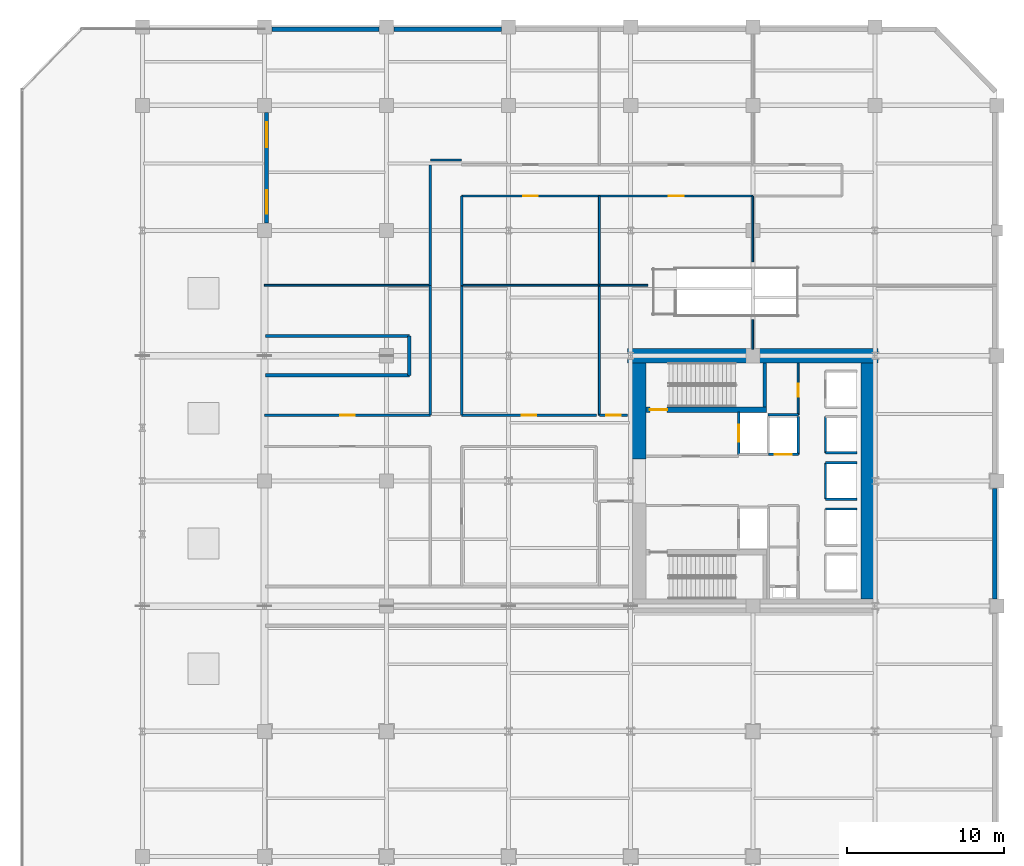
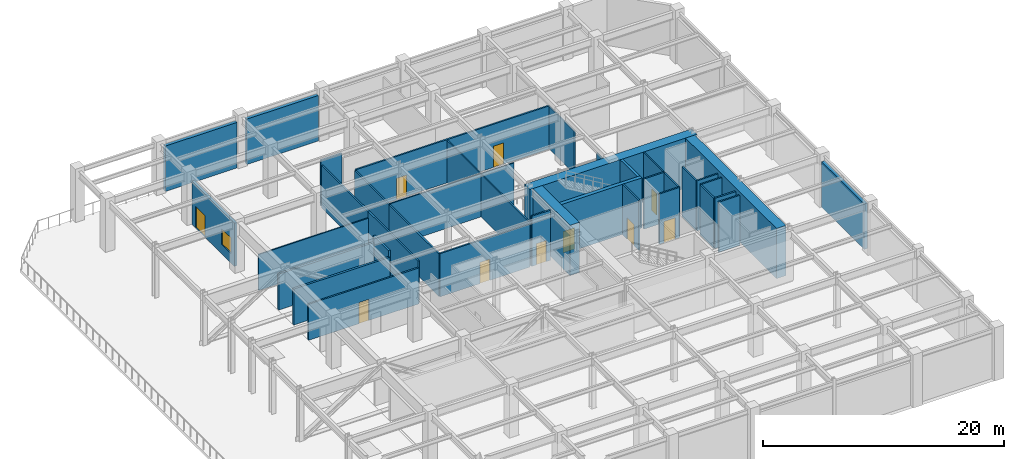
# One storey, part 9 of 14: 40 walls, 10 doors, 1 window, 11 openings.
"""IFC4 building model written with IfcOpenShell, lengths in metres."""

from ifc_helpers import new_model, si_unit, direction, frame, frame_2d, origin, place, context, subcontext, project, spatial, rectangle, extrude, material, layer, layer_set, type_object, element, fill, save


model = new_model("IFC4")

# Units and contexts
model_context = context("Model", 3, precision=1e-05, world=origin(), true_north=direction((0.0, 1.0)))
body_context = subcontext(model_context, "Body", "Model", "MODEL_VIEW")
ifc_project = project(units=[si_unit("LENGTHUNIT", "METRE"), si_unit("AREAUNIT", "SQUARE_METRE"), si_unit("VOLUMEUNIT", "CUBIC_METRE"), si_unit("PLANEANGLEUNIT", "RADIAN"), si_unit("MASSUNIT", "GRAM", prefix="KILO")], contexts=[model_context])

# Site, building, storey
site_placement = place(None, origin())
site = spatial("IfcSite", under=ifc_project, at=site_placement, CompositionType="ELEMENT")
building_placement = place(site_placement, origin())
building = spatial("IfcBuilding", under=site, at=building_placement, Name="Veymaron Broadcast Tower", CompositionType="ELEMENT")
storey_placement = place(building_placement, frame((0.0, 0.0, 27.0)))
storey = spatial("IfcBuildingStorey", under=building, at=storey_placement, Name="L05", CompositionType="ELEMENT", Elevation=27.0)

# Wall, openings, door, window
ifc_material_1 = material(Name="Precast concrete C40/50", Category="concrete")
ifc_layer_1 = layer(ifc_material_1, 0.25)
ifc_layer_set_1 = layer_set([ifc_layer_1], Name="Precast concrete C40/50")
wall_type_1 = type_object("IfcWallType", Name="WALL-EXT-250", PredefinedType="STANDARD", material=ifc_layer_set_1)
wall_1_placement = place(storey_placement, frame((15.739990234375, 47.531982421875, 0.0), z_axis=(0.0, 0.0, 1.0), x_axis=(0.0, -1.0, 0.0)))
wall_1 = element("IfcWall", 1, at=wall_1_placement, inside=storey, type_object=wall_type_1, Name="L05 sky-terrace threshold wall", PredefinedType="STANDARD", context=body_context, shape_type="SweptSolid", body=[
    extrude(rectangle(XDim=7.06396484375, YDim=0.25, at=frame_2d((3.531982421875, 0.0))), origin(), (0.0, 0.0, 1.0), 4.375),
])
opening_1_placement = place(wall_1_placement, frame((0.60009765625, 0.0, 0.0)))
opening_1 = element("IfcOpeningElement", 2, at=opening_1_placement, cuts=wall_1, Name="Opening ED-TR1", PredefinedType="OPENING", context=body_context, shape_type="SweptSolid", body=[
    extrude(rectangle(XDim=1.60009765625, YDim=2.199951171875, at=frame_2d((0.800048828125, 1.10009765625))), frame((0.0, 0.135009765625, 0.0), z_axis=(0.0, -1.0, 0.0), x_axis=(1.0, 0.0, 0.0)), (0.0, 0.0, 1.0), 0.27001953125),
])
opening_2_placement = place(wall_1_placement, frame((4.964111328125, 0.0, 0.949951171875)))
opening_2 = element("IfcOpeningElement", 3, at=opening_2_placement, cuts=wall_1, Name="Opening WN2", PredefinedType="OPENING", context=body_context, shape_type="SweptSolid", body=[
    extrude(rectangle(XDim=1.5, YDim=1.60009765625, at=frame_2d((0.75, 0.800048828125))), frame((0.0, 0.135009765625, 0.0), z_axis=(0.0, -1.0, 0.0), x_axis=(1.0, 0.0, 0.0)), (0.0, 0.0, 1.0), 0.27001953125),
])
ifc_material_2 = material(Name="Thermally broken aluminium and low-E safety glass", Category="aluminium")
door_type_1 = type_object("IfcDoorType", Name="DOOR-TERR-1600", OperationType="DOUBLE_DOOR_SINGLE_SWING", PredefinedType="DOOR", material=ifc_material_2)
door_1_placement = place(opening_1_placement, frame((1.60009765625, 0.0, 0.0), z_axis=(0.0, 0.0, 1.0), x_axis=(-1.0, 0.0, 0.0)))
door_1 = element("IfcDoor", 4, at=door_1_placement, inside=storey, type_object=door_type_1, Name="L05 sky-terrace access door", OperationType="SINGLE_SWING_LEFT", OverallHeight=2.199951171875, OverallWidth=1.60009765625, PredefinedType="DOOR", context=body_context, shape_type="SweptSolid", body=[
    extrude(rectangle(XDim=1.60009765625, YDim=2.199951171875, at=frame_2d((0.800048828125, 1.10009765625))), frame((0.0, 0.02490234375, 0.0), z_axis=(0.0, -1.0, 0.0), x_axis=(1.0, 0.0, 0.0)), (0.0, 0.0, 1.0), 0.050048828125),
])
fill(opening_1, door_1)
ifc_material_3 = material(Name="Thermally broken aluminium and acoustic laminated glass", Category="aluminium")
window_type = type_object("IfcWindowType", Name="WIN-EXT-1500", PartitioningType="SINGLE_PANEL", PredefinedType="WINDOW", material=ifc_material_3)
window_placement = place(opening_2_placement, origin())
window = element("IfcWindow", 5, at=window_placement, inside=storey, type_object=window_type, Name="L05 sky-terrace viewing window", OverallHeight=1.60009765625, OverallWidth=1.5, PartitioningType="SINGLE_PANEL", PredefinedType="WINDOW", context=body_context, shape_type="SweptSolid", body=[
    extrude(rectangle(XDim=1.5, YDim=1.60009765625, at=frame_2d((0.75, 0.800048828125))), frame((0.0, 0.030029296875, 0.0), z_axis=(0.0, -1.0, 0.0), x_axis=(1.0, 0.0, 0.0)), (0.0, 0.0, 1.0), 0.06005859375),
])
fill(opening_2, window)

# Walls
ifc_material_4 = material(Name="Precast concrete C40/50 with mineral-wool insulation", Category="concrete")
ifc_layer_2 = layer(ifc_material_4, 0.300048828125)
ifc_layer_set_2 = layer_set([ifc_layer_2], Name="Precast concrete C40/50 with mineral-wool insulation")
wall_type_2 = type_object("IfcWallType", Name="WALL-EXT-300", PredefinedType="STANDARD", material=ifc_layer_set_2)
wall_2_placement = place(storey_placement, frame((62.260009765625, 16.468017578125, 0.0), z_axis=(0.0, 0.0, 1.0), x_axis=(0.0, 1.0, 0.0)))
element("IfcWall", 6, at=wall_2_placement, inside=storey, type_object=wall_type_2, Name="L05 notched corner facade pier 3-4", PredefinedType="STANDARD", context=body_context, shape_type="SweptSolid", body=[
    extrude(rectangle(XDim=7.06396484375, YDim=0.300048828125, at=frame_2d((3.531982421875, 0.0))), origin(), (0.0, 0.0, 1.0), 4.60791015625),
])
wall_3_placement = place(storey_placement, frame((30.73193359375, 52.860107421875, 0.0), z_axis=(0.0, 0.0, 1.0), x_axis=(-1.0, 0.0, 0.0)))
element("IfcWall", 7, at=wall_3_placement, inside=storey, type_object=wall_type_2, Name="L05 notched corner facade pier 5-5", PredefinedType="STANDARD", context=body_context, shape_type="SweptSolid", body=[
    extrude(rectangle(XDim=6.864013671875, YDim=0.300048828125, at=frame_2d((3.43212890625, 0.0))), origin(), (0.0, 0.0, 1.0), 4.60791015625),
])
wall_4_placement = place(storey_placement, frame((22.931884765625, 52.860107421875, 0.0), z_axis=(0.0, 0.0, 1.0), x_axis=(-1.0, 0.0, 0.0)))
element("IfcWall", 8, at=wall_4_placement, inside=storey, type_object=wall_type_2, Name="L05 notched corner facade pier 5-6", PredefinedType="STANDARD", context=body_context, shape_type="SweptSolid", body=[
    extrude(rectangle(XDim=6.86376953125, YDim=0.300048828125, at=frame_2d((3.431884765625, 0.0))), origin(), (0.0, 0.0, 1.0), 4.60791015625),
])

# Wall, opening, door
ifc_material_5 = material(Name="Gypsum fireboard and steel stud framing", Category="steel")
ifc_layer_3 = layer(ifc_material_5, 0.14990234375)
ifc_layer_set_3 = layer_set([ifc_layer_3], Name="Gypsum fireboard and steel stud framing")
wall_type_3 = type_object("IfcWallType", Name="WALL-FIRE-150", PredefinedType="PARTITIONING", material=ifc_layer_set_3)
wall_5_placement = place(storey_placement, frame((45.89501953125, 25.68994140625, 0.0), z_axis=(0.0, 0.0, 1.0), x_axis=(0.0, 1.0, 0.0)))
wall_5 = element("IfcWall", 9, at=wall_5_placement, inside=storey, type_object=wall_type_3, Name="L05 partition IW-L05-SHW-FFL-1", PredefinedType="PARTITIONING", context=body_context, shape_type="SweptSolid", body=[
    extrude(rectangle(XDim=2.719970703125, YDim=0.14990234375, at=frame_2d((1.35986328125, 0.0))), origin(), (0.0, 0.0, 1.0), 5.080078125),
])
opening_3_placement = place(wall_5_placement, frame((0.81005859375, 0.0, 0.0)))
opening_3 = element("IfcOpeningElement", 10, at=opening_3_placement, cuts=wall_5, Name="Opening LD", PredefinedType="OPENING", context=body_context, shape_type="SweptSolid", body=[
    extrude(rectangle(XDim=1.10009765625, YDim=2.14990234375, at=frame_2d((0.550048828125, 1.074951171875))), frame((0.0, 0.0849609375, 0.0), z_axis=(0.0, -1.0, 0.0), x_axis=(1.0, 0.0, 0.0)), (0.0, 0.0, 1.0), 0.169921875),
])
ifc_material_6 = material(Name="Brushed stainless steel AISI 304", Category="steel")
door_type_2 = type_object("IfcDoorType", Name="DOOR-LIFT-1100", OperationType="DOUBLE_DOOR_SLIDING", PredefinedType="DOOR", material=ifc_material_6)
door_2_placement = place(opening_3_placement, frame((1.10009765625, 0.0, 0.0), z_axis=(0.0, 0.0, 1.0), x_axis=(-1.0, 0.0, 0.0)))
door_2 = element("IfcDoor", 11, at=door_2_placement, inside=storey, type_object=door_type_2, Name="L05 door LD-L05-FFL-1", OperationType="DOUBLE_DOOR_SLIDING", OverallHeight=2.14990234375, OverallWidth=1.10009765625, PredefinedType="DOOR", context=body_context, shape_type="SweptSolid", body=[
    extrude(rectangle(XDim=1.10009765625, YDim=2.14990234375, at=frame_2d((0.550048828125, 1.074951171875))), frame((0.0, 0.02490234375, 0.0), z_axis=(0.0, -1.0, 0.0), x_axis=(1.0, 0.0, 0.0)), (0.0, 0.0, 1.0), 0.050048828125),
])
fill(opening_3, door_2)

wall_6_placement = place(storey_placement, frame((47.7900390625, 25.695068359375, 0.0), z_axis=(0.0, 0.0, 1.0), x_axis=(1.0, 0.0, 0.0)))
wall_6 = element("IfcWall", 12, at=wall_6_placement, inside=storey, type_object=wall_type_3, Name="L05 partition IW-L05-SHS-SL-1", PredefinedType="PARTITIONING", context=body_context, shape_type="SweptSolid", body=[
    extrude(rectangle(XDim=1.919921875, YDim=0.14990234375, at=frame_2d((0.9599609375, 0.0))), origin(), (0.0, 0.0, 1.0), 5.080078125),
])
opening_4_placement = place(wall_6_placement, frame((0.409912109375, 0.0, 0.0)))
opening_4 = element("IfcOpeningElement", 13, at=opening_4_placement, cuts=wall_6, Name="Opening LD", PredefinedType="OPENING", context=body_context, shape_type="SweptSolid", body=[
    extrude(rectangle(XDim=1.10009765625, YDim=2.14990234375, at=frame_2d((0.550048828125, 1.074951171875))), frame((0.0, 0.0849609375, 0.0), z_axis=(0.0, -1.0, 0.0), x_axis=(1.0, 0.0, 0.0)), (0.0, 0.0, 1.0), 0.169921875),
])
door_3_placement = place(opening_4_placement, frame((1.10009765625, 0.0, 0.0), z_axis=(0.0, 0.0, 1.0), x_axis=(-1.0, 0.0, 0.0)))
door_3 = element("IfcDoor", 14, at=door_3_placement, inside=storey, type_object=door_type_2, Name="L05 door LD-L05-SL-1", OperationType="DOUBLE_DOOR_SLIDING", OverallHeight=2.14990234375, OverallWidth=1.10009765625, PredefinedType="DOOR", context=body_context, shape_type="SweptSolid", body=[
    extrude(rectangle(XDim=1.10009765625, YDim=2.14990234375, at=frame_2d((0.550048828125, 1.074951171875))), frame((0.0, 0.02490234375, 0.0), z_axis=(0.0, -1.0, 0.0), x_axis=(1.0, 0.0, 0.0)), (0.0, 0.0, 1.0), 0.050048828125),
])
fill(opening_4, door_3)

# Walls
wall_7_placement = place(storey_placement, frame((49.7099609375, 25.695068359375, 0.0), z_axis=(0.0, 0.0, 1.0), x_axis=(0.0, 1.0, 0.0)))
element("IfcWall", 15, at=wall_7_placement, inside=storey, type_object=wall_type_3, Name="L05 partition IW-L05-SHE-SL-1", PredefinedType="PARTITIONING", context=body_context, shape_type="SweptSolid", body=[
    extrude(rectangle(XDim=2.4150390625, YDim=0.14990234375, at=frame_2d((1.20751953125, 0.0))), origin(), (0.0, 0.0, 1.0), 5.080078125),
])
wall_8_placement = place(storey_placement, frame((51.445068359375, 25.7900390625, 0.0), z_axis=(0.0, 0.0, 1.0), x_axis=(0.0, 1.0, 0.0)))
element("IfcWall", 16, at=wall_8_placement, inside=storey, type_object=wall_type_3, Name="L05 partition IW-L05-SHW-PM1", PredefinedType="PARTITIONING", context=body_context, shape_type="SweptSolid", body=[
    extrude(rectangle(XDim=2.320068359375, YDim=0.14990234375, at=frame_2d((1.16015625, 0.0))), origin(), (0.0, 0.0, 1.0), 5.080078125),
])
for number, where, z_axis, x_axis, name in (
    (17, (51.445068359375, 25.7900390625, 0.0), (0.0, 0.0, 1.0), (1.0, 0.0, 0.0), "L05 partition IW-L05-SHS-PM1"),
    (18, (51.445068359375, 22.2099609375, 0.0), (0.0, 0.0, 1.0), (1.0, 0.0, 0.0), "L05 partition IW-L05-SHN-PM2"),
):
    element("IfcWall", number, at=place(storey_placement, frame(where, z_axis=z_axis, x_axis=x_axis)), inside=storey, type_object=wall_type_3, Name=name, PredefinedType="PARTITIONING", context=body_context, shape_type="SweptSolid", body=[
        extrude(rectangle(XDim=2.014892578125, YDim=0.14990234375, at=frame_2d((1.00732421875, 0.0))), origin(), (0.0, 0.0, 1.0), 5.080078125),
    ])
wall_9_placement = place(storey_placement, frame((51.445068359375, 22.840087890625, 0.0), z_axis=(0.0, 0.0, 1.0), x_axis=(0.0, 1.0, 0.0)))
element("IfcWall", 19, at=wall_9_placement, inside=storey, type_object=wall_type_3, Name="L05 partition IW-L05-SHW-PM3", PredefinedType="PARTITIONING", context=body_context, shape_type="SweptSolid", body=[
    extrude(rectangle(XDim=2.31982421875, YDim=0.14990234375, at=frame_2d((1.159912109375, 0.0))), origin(), (0.0, 0.0, 1.0), 5.080078125),
])
for number, where, z_axis, x_axis, name in (
    (20, (51.445068359375, 22.840087890625, 0.0), (0.0, 0.0, 1.0), (1.0, 0.0, 0.0), "L05 partition IW-L05-SHS-PM3"),
    (21, (51.445068359375, 25.159912109375, 0.0), (0.0, 0.0, 1.0), (1.0, 0.0, 0.0), "L05 partition IW-L05-SHN-PM3"),
):
    element("IfcWall", number, at=place(storey_placement, frame(where, z_axis=z_axis, x_axis=x_axis)), inside=storey, type_object=wall_type_3, Name=name, PredefinedType="PARTITIONING", context=body_context, shape_type="SweptSolid", body=[
        extrude(rectangle(XDim=2.014892578125, YDim=0.14990234375, at=frame_2d((1.00732421875, 0.0))), origin(), (0.0, 0.0, 1.0), 5.080078125),
    ])
wall_10_placement = place(storey_placement, frame((47.760009765625, 28.219970703125, 0.0), z_axis=(0.0, 0.0, 1.0), x_axis=(1.0, 0.0, 0.0)))
element("IfcWall", 22, at=wall_10_placement, inside=storey, type_object=wall_type_3, Name="L05 partition IW-L05-NM-S", PredefinedType="PARTITIONING", context=body_context, shape_type="SweptSolid", body=[
    extrude(rectangle(XDim=1.9599609375, YDim=0.14990234375, at=frame_2d((0.97998046875, 0.0))), origin(), (0.0, 0.0, 1.0), 5.080078125),
])

# Wall, opening, door
wall_11_placement = place(storey_placement, frame((28.199951171875, 28.199951171875, 0.0), z_axis=(0.0, 0.0, 1.0), x_axis=(1.0, 0.0, 0.0)))
wall_11 = element("IfcWall", 23, at=wall_11_placement, inside=storey, type_object=wall_type_3, Name="L05 partition IW-L05-P07", PredefinedType="PARTITIONING", context=body_context, shape_type="SweptSolid", body=[
    extrude(rectangle(XDim=8.60009765625, YDim=0.14990234375, at=frame_2d((4.300048828125, 0.0))), origin(), (0.0, 0.0, 1.0), 4.375),
])
opening_5_placement = place(wall_11_placement, frame((3.824951171875, 0.0, 0.0)))
opening_5 = element("IfcOpeningElement", 24, at=opening_5_placement, cuts=wall_11, Name="Opening ID-RM1", PredefinedType="OPENING", context=body_context, shape_type="SweptSolid", body=[
    extrude(rectangle(XDim=0.949951171875, YDim=2.14990234375, at=frame_2d((0.47509765625, 1.074951171875))), frame((0.0, 0.0849609375, 0.0), z_axis=(0.0, -1.0, 0.0), x_axis=(1.0, 0.0, 0.0)), (0.0, 0.0, 1.0), 0.169921875),
])
ifc_material_7 = material(Name="Acoustic solid-core European oak veneer timber", Category="wood")
door_type_3 = type_object("IfcDoorType", Name="DOOR-INT-950", OperationType="NOTDEFINED", PredefinedType="DOOR", material=ifc_material_7)
door_4_placement = place(opening_5_placement, origin())
door_4 = element("IfcDoor", 25, at=door_4_placement, inside=storey, type_object=door_type_3, Name="L05 door DR-L05-P07", OperationType="SINGLE_SWING_RIGHT", OverallHeight=2.14990234375, OverallWidth=0.949951171875, PredefinedType="DOOR", context=body_context, shape_type="SweptSolid", body=[
    extrude(rectangle(XDim=0.949951171875, YDim=2.14990234375, at=frame_2d((0.47509765625, 1.074951171875))), frame((0.0, 0.02490234375, 0.0), z_axis=(0.0, -1.0, 0.0), x_axis=(1.0, 0.0, 0.0)), (0.0, 0.0, 1.0), 0.050048828125),
])
fill(opening_5, door_4)

wall_12_placement = place(storey_placement, frame((15.60009765625, 28.199951171875, 0.0), z_axis=(0.0, 0.0, 1.0), x_axis=(1.0, 0.0, 0.0)))
wall_12 = element("IfcWall", 26, at=wall_12_placement, inside=storey, type_object=wall_type_3, Name="L05 partition IW-L05-P09", PredefinedType="PARTITIONING", context=body_context, shape_type="SweptSolid", body=[
    extrude(rectangle(XDim=10.599853515625, YDim=0.14990234375, at=frame_2d((5.2998046875, 0.0))), origin(), (0.0, 0.0, 1.0), 3.64794921875),
])
opening_6_placement = place(wall_12_placement, frame((4.824951171875, 0.0, 0.0)))
opening_6 = element("IfcOpeningElement", 27, at=opening_6_placement, cuts=wall_12, Name="Opening ID-RM1", PredefinedType="OPENING", context=body_context, shape_type="SweptSolid", body=[
    extrude(rectangle(XDim=0.949951171875, YDim=2.14990234375, at=frame_2d((0.47509765625, 1.074951171875))), frame((0.0, 0.0849609375, 0.0), z_axis=(0.0, -1.0, 0.0), x_axis=(1.0, 0.0, 0.0)), (0.0, 0.0, 1.0), 0.169921875),
])
door_5_placement = place(opening_6_placement, origin())
door_5 = element("IfcDoor", 28, at=door_5_placement, inside=storey, type_object=door_type_3, Name="L05 door DR-L05-P09", OperationType="SINGLE_SWING_RIGHT", OverallHeight=2.14990234375, OverallWidth=0.949951171875, PredefinedType="DOOR", context=body_context, shape_type="SweptSolid", body=[
    extrude(rectangle(XDim=0.949951171875, YDim=2.14990234375, at=frame_2d((0.47509765625, 1.074951171875))), frame((0.0, 0.02490234375, 0.0), z_axis=(0.0, -1.0, 0.0), x_axis=(1.0, 0.0, 0.0)), (0.0, 0.0, 1.0), 0.050048828125),
])
fill(opening_6, door_5)

wall_13_placement = place(storey_placement, frame((37.0, 28.199951171875, 0.0), z_axis=(0.0, 0.0, 1.0), x_axis=(1.0, 0.0, 0.0)))
wall_13 = element("IfcWall", 29, at=wall_13_placement, inside=storey, type_object=wall_type_3, Name="L05 partition IW-L05-P11", PredefinedType="PARTITIONING", context=body_context, shape_type="SweptSolid", body=[
    extrude(rectangle(XDim=1.800048828125, YDim=0.14990234375, at=frame_2d((0.89990234375, 0.0))), origin(), (0.0, 0.0, 1.0), 5.080078125),
])
opening_7_placement = place(wall_13_placement, frame((0.425048828125, 0.0, 0.0)))
opening_7 = element("IfcOpeningElement", 30, at=opening_7_placement, cuts=wall_13, Name="Opening ID-RM1", PredefinedType="OPENING", context=body_context, shape_type="SweptSolid", body=[
    extrude(rectangle(XDim=0.949951171875, YDim=2.14990234375, at=frame_2d((0.47509765625, 1.074951171875))), frame((0.0, 0.0849609375, 0.0), z_axis=(0.0, -1.0, 0.0), x_axis=(1.0, 0.0, 0.0)), (0.0, 0.0, 1.0), 0.169921875),
])
door_6_placement = place(opening_7_placement, origin())
door_6 = element("IfcDoor", 31, at=door_6_placement, inside=storey, type_object=door_type_3, Name="L05 door DR-L05-P11", OperationType="SINGLE_SWING_RIGHT", OverallHeight=2.14990234375, OverallWidth=0.949951171875, PredefinedType="DOOR", context=body_context, shape_type="SweptSolid", body=[
    extrude(rectangle(XDim=0.949951171875, YDim=2.14990234375, at=frame_2d((0.47509765625, 1.074951171875))), frame((0.0, 0.02490234375, 0.0), z_axis=(0.0, -1.0, 0.0), x_axis=(1.0, 0.0, 0.0)), (0.0, 0.0, 1.0), 0.050048828125),
])
fill(opening_7, door_6)

wall_14_placement = place(storey_placement, frame((28.199951171875, 42.199951171875, 0.0), z_axis=(0.0, 0.0, 1.0), x_axis=(1.0, 0.0, 0.0)))
wall_14 = element("IfcWall", 32, at=wall_14_placement, inside=storey, type_object=wall_type_3, Name="L05 partition IW-L05-P12", PredefinedType="PARTITIONING", context=body_context, shape_type="SweptSolid", body=[
    extrude(rectangle(XDim=8.800048828125, YDim=0.14990234375, at=frame_2d((4.39990234375, 0.0))), origin(), (0.0, 0.0, 1.0), 4.375),
])
opening_8_placement = place(wall_14_placement, frame((3.925048828125, 0.0, 0.0)))
opening_8 = element("IfcOpeningElement", 33, at=opening_8_placement, cuts=wall_14, Name="Opening ID-RM1", PredefinedType="OPENING", context=body_context, shape_type="SweptSolid", body=[
    extrude(rectangle(XDim=0.949951171875, YDim=2.14990234375, at=frame_2d((0.47509765625, 1.074951171875))), frame((0.0, 0.0849609375, 0.0), z_axis=(0.0, -1.0, 0.0), x_axis=(1.0, 0.0, 0.0)), (0.0, 0.0, 1.0), 0.169921875),
])
door_7_placement = place(opening_8_placement, frame((0.949951171875, 0.0, 0.0), z_axis=(0.0, 0.0, 1.0), x_axis=(-1.0, 0.0, 0.0)))
door_7 = element("IfcDoor", 34, at=door_7_placement, inside=storey, type_object=door_type_3, Name="L05 door DR-L05-P12", OperationType="SINGLE_SWING_LEFT", OverallHeight=2.14990234375, OverallWidth=0.949951171875, PredefinedType="DOOR", context=body_context, shape_type="SweptSolid", body=[
    extrude(rectangle(XDim=0.949951171875, YDim=2.14990234375, at=frame_2d((0.47509765625, 1.074951171875))), frame((0.0, 0.02490234375, 0.0), z_axis=(0.0, -1.0, 0.0), x_axis=(1.0, 0.0, 0.0)), (0.0, 0.0, 1.0), 0.050048828125),
])
fill(opening_8, door_7)

wall_15_placement = place(storey_placement, frame((37.0, 42.199951171875, 0.0), z_axis=(0.0, 0.0, 1.0), x_axis=(1.0, 0.0, 0.0)))
wall_15 = element("IfcWall", 35, at=wall_15_placement, inside=storey, type_object=wall_type_3, Name="L05 partition IW-L05-P14", PredefinedType="PARTITIONING", context=body_context, shape_type="SweptSolid", body=[
    extrude(rectangle(XDim=9.800048828125, YDim=0.14990234375, at=frame_2d((4.89990234375, 0.0))), origin(), (0.0, 0.0, 1.0), 4.375),
])
opening_9_placement = place(wall_15_placement, frame((4.425048828125, 0.0, 0.0)))
opening_9 = element("IfcOpeningElement", 36, at=opening_9_placement, cuts=wall_15, Name="Opening ID-RM1", PredefinedType="OPENING", context=body_context, shape_type="SweptSolid", body=[
    extrude(rectangle(XDim=0.949951171875, YDim=2.14990234375, at=frame_2d((0.47509765625, 1.074951171875))), frame((0.0, 0.0849609375, 0.0), z_axis=(0.0, -1.0, 0.0), x_axis=(1.0, 0.0, 0.0)), (0.0, 0.0, 1.0), 0.169921875),
])
door_8_placement = place(opening_9_placement, frame((0.949951171875, 0.0, 0.0), z_axis=(0.0, 0.0, 1.0), x_axis=(-1.0, 0.0, 0.0)))
door_8 = element("IfcDoor", 37, at=door_8_placement, inside=storey, type_object=door_type_3, Name="L05 door DR-L05-P14", OperationType="SINGLE_SWING_LEFT", OverallHeight=2.14990234375, OverallWidth=0.949951171875, PredefinedType="DOOR", context=body_context, shape_type="SweptSolid", body=[
    extrude(rectangle(XDim=0.949951171875, YDim=2.14990234375, at=frame_2d((0.47509765625, 1.074951171875))), frame((0.0, 0.02490234375, 0.0), z_axis=(0.0, -1.0, 0.0), x_axis=(1.0, 0.0, 0.0)), (0.0, 0.0, 1.0), 0.050048828125),
])
fill(opening_9, door_8)

# Walls
for number, where, z_axis, x_axis, name in (
    (38, (28.199951171875, 28.199951171875, 0.0), (0.0, 0.0, 1.0), (0.0, 1.0, 0.0), "L05 partition IW-L05-P08"),
    (39, (26.199951171875, 28.199951171875, 0.0), (0.0, 0.0, 1.0), (0.0, 1.0, 0.0), "L05 partition IW-L05-P10"),
):
    element("IfcWall", number, at=place(storey_placement, frame(where, z_axis=z_axis, x_axis=x_axis)), inside=storey, type_object=wall_type_3, Name=name, PredefinedType="PARTITIONING", context=body_context, shape_type="SweptSolid", body=[
        extrude(rectangle(XDim=8.300048828125, YDim=0.14990234375, at=frame_2d((4.14990234375, 0.0))), origin(), (0.0, 0.0, 1.0), 4.298095703125),
    ])
wall_16_placement = place(storey_placement, frame((28.199951171875, 36.5, 0.0), z_axis=(0.0, 0.0, 1.0), x_axis=(0.0, 1.0, 0.0)))
element("IfcWall", 40, at=wall_16_placement, inside=storey, type_object=wall_type_3, Name="L05 partition IW-L05-P13", PredefinedType="PARTITIONING", context=body_context, shape_type="SweptSolid", body=[
    extrude(rectangle(XDim=5.699951171875, YDim=0.14990234375, at=frame_2d((2.85009765625, 0.0))), origin(), (0.0, 0.0, 1.0), 4.298095703125),
])
wall_17_placement = place(storey_placement, frame((26.199951171875, 36.5, 0.0), z_axis=(0.0, 0.0, 1.0), x_axis=(0.0, 1.0, 0.0)))
element("IfcWall", 41, at=wall_17_placement, inside=storey, type_object=wall_type_3, Name="L05 partition IW-L05-P19", PredefinedType="PARTITIONING", context=body_context, shape_type="SweptSolid", body=[
    extrude(rectangle(XDim=7.699951171875, YDim=0.14990234375, at=frame_2d((3.85009765625, 0.0))), origin(), (0.0, 0.0, 1.0), 4.298095703125),
])
wall_18_placement = place(storey_placement, frame((26.199951171875, 44.5, 0.0), z_axis=(0.0, 0.0, 1.0), x_axis=(1.0, 0.0, 0.0)))
element("IfcWall", 42, at=wall_18_placement, inside=storey, type_object=wall_type_3, Name="L05 partition IW-L05-P20", PredefinedType="PARTITIONING", context=body_context, shape_type="SweptSolid", body=[
    extrude(rectangle(XDim=2.0, YDim=0.14990234375, at=frame_2d((1.0, 0.0))), origin(), (0.0, 0.0, 1.0), 4.660888671875),
])
ifc_material_8 = material(Name="Concrete C40/50", Category="concrete")
ifc_layer_4 = layer(ifc_material_8, 0.199951171875)
ifc_layer_set_4 = layer_set([ifc_layer_4], Name="Concrete C40/50")
wall_type_4 = type_object("IfcWallType", Name="WALL-FIRE-200", PredefinedType="SOLIDWALL", material=ifc_layer_set_4)
for number, where, z_axis, x_axis, name in (
    (43, (15.64990234375, 30.75, 0.0), (0.0, 0.0, 1.0), (1.0, 0.0, 0.0), "L05 partition IW-L05-TT2-S"),
    (44, (15.64990234375, 33.25, 0.0), (0.0, 0.0, 1.0), (1.0, 0.0, 0.0), "L05 partition IW-L05-TT2-N"),
):
    element("IfcWall", number, at=place(storey_placement, frame(where, z_axis=z_axis, x_axis=x_axis)), inside=storey, type_object=wall_type_4, Name=name, PredefinedType="SOLIDWALL", context=body_context, shape_type="SweptSolid", body=[
        extrude(rectangle(XDim=9.2001953125, YDim=0.199951171875, at=frame_2d((4.60009765625, 0.0))), origin(), (0.0, 0.0, 1.0), 3.64794921875),
    ])
wall_19_placement = place(storey_placement, frame((24.85009765625, 30.75, 0.0), z_axis=(0.0, 0.0, 1.0), x_axis=(0.0, 1.0, 0.0)))
element("IfcWall", 45, at=wall_19_placement, inside=storey, type_object=wall_type_4, Name="L05 partition IW-L05-TT2-E", PredefinedType="SOLIDWALL", context=body_context, shape_type="SweptSolid", body=[
    extrude(rectangle(XDim=2.5, YDim=0.199951171875, at=frame_2d((1.25, 0.0))), origin(), (0.0, 0.0, 1.0), 4.298095703125),
])

# Wall, opening, door
ifc_material_9 = material(Name="Acoustic gypsum board and galvanized stud", Category="gypsum")
ifc_layer_5 = layer(ifc_material_9, 0.1201171875)
ifc_layer_set_5 = layer_set([ifc_layer_5], Name="Acoustic gypsum board and galvanized stud")
wall_type_5 = type_object("IfcWallType", Name="WALL-PART-120", PredefinedType="PARTITIONING", material=ifc_layer_set_5)
wall_20_placement = place(storey_placement, frame((49.699951171875, 28.219970703125, 0.0), z_axis=(0.0, 0.0, 1.0), x_axis=(0.0, 1.0, 0.0)))
wall_20 = element("IfcWall", 46, at=wall_20_placement, inside=storey, type_object=wall_type_5, Name="L05 partition IW-L05-NM-E", PredefinedType="PARTITIONING", context=body_context, shape_type="SweptSolid", body=[
    extrude(rectangle(XDim=3.300048828125, YDim=0.1201171875, at=frame_2d((1.64990234375, 0.0))), origin(), (0.0, 0.0, 1.0), 5.080078125),
])
opening_10_placement = place(wall_20_placement, frame((1.14990234375, 0.0, 0.0)))
opening_10 = element("IfcOpeningElement", 47, at=opening_10_placement, cuts=wall_20, Name="Opening ID-WC1", PredefinedType="OPENING", context=body_context, shape_type="SweptSolid", body=[
    extrude(rectangle(XDim=0.85009765625, YDim=2.14990234375, at=frame_2d((0.425048828125, 1.074951171875))), frame((0.0, 0.070068359375, 0.0), z_axis=(0.0, -1.0, 0.0), x_axis=(1.0, 0.0, 0.0)), (0.0, 0.0, 1.0), 0.14013671875),
])
ifc_material_10 = material(Name="Moisture-resistant high-pressure laminate timber", Category="wood")
door_type_4 = type_object("IfcDoorType", Name="DOOR-INT-850", OperationType="NOTDEFINED", PredefinedType="DOOR", material=ifc_material_10)
door_9_placement = place(opening_10_placement, frame((0.85009765625, 0.0, 0.0), z_axis=(0.0, 0.0, 1.0), x_axis=(-1.0, 0.0, 0.0)))
door_9 = element("IfcDoor", 48, at=door_9_placement, inside=storey, type_object=door_type_4, Name="L05 door DR-L05-NMR", OperationType="SINGLE_SWING_LEFT", OverallHeight=2.14990234375, OverallWidth=0.85009765625, PredefinedType="DOOR", context=body_context, shape_type="SweptSolid", body=[
    extrude(rectangle(XDim=0.85009765625, YDim=2.14990234375, at=frame_2d((0.425048828125, 1.074951171875))), frame((0.0, 0.02490234375, 0.0), z_axis=(0.0, -1.0, 0.0), x_axis=(1.0, 0.0, 0.0)), (0.0, 0.0, 1.0), 0.050048828125),
])
fill(opening_10, door_9)

# Walls
wall_21_placement = place(storey_placement, frame((46.800048828125, 32.39990234375, 0.0), z_axis=(0.0, 0.0, 1.0), x_axis=(0.0, 1.0, 0.0)))
element("IfcWall", 49, at=wall_21_placement, inside=storey, type_object=wall_type_5, Name="L05 partition IW-L05-P23", PredefinedType="PARTITIONING", context=body_context, shape_type="SweptSolid", body=[
    extrude(rectangle(XDim=1.900146484375, YDim=0.1201171875, at=frame_2d((0.9501953125, 0.0))), origin(), (0.0, 0.0, 1.0), 4.375),
])
wall_22_placement = place(storey_placement, frame((37.0, 28.199951171875, 0.0), z_axis=(0.0, 0.0, 1.0), x_axis=(0.0, 1.0, 0.0)))
element("IfcWall", 50, at=wall_22_placement, inside=storey, type_object=wall_type_5, Name="L05 partition IW-L05-P25", PredefinedType="PARTITIONING", context=body_context, shape_type="SweptSolid", body=[
    extrude(rectangle(XDim=8.300048828125, YDim=0.1201171875, at=frame_2d((4.14990234375, 0.0))), origin(), (0.0, 0.0, 1.0), 4.298095703125),
])
wall_23_placement = place(storey_placement, frame((28.199951171875, 36.5, 0.0), z_axis=(0.0, 0.0, 1.0), x_axis=(1.0, 0.0, 0.0)))
element("IfcWall", 51, at=wall_23_placement, inside=storey, type_object=wall_type_5, Name="L05 partition IW-L05-P26", PredefinedType="PARTITIONING", context=body_context, shape_type="SweptSolid", body=[
    extrude(rectangle(XDim=8.800048828125, YDim=0.1201171875, at=frame_2d((4.39990234375, 0.0))), origin(), (0.0, 0.0, 1.0), 4.375),
])
wall_24_placement = place(storey_placement, frame((15.60009765625, 36.5, 0.0), z_axis=(0.0, 0.0, 1.0), x_axis=(1.0, 0.0, 0.0)))
element("IfcWall", 52, at=wall_24_placement, inside=storey, type_object=wall_type_5, Name="L05 partition IW-L05-P27", PredefinedType="PARTITIONING", context=body_context, shape_type="SweptSolid", body=[
    extrude(rectangle(XDim=10.599853515625, YDim=0.1201171875, at=frame_2d((5.2998046875, 0.0))), origin(), (0.0, 0.0, 1.0), 3.64794921875),
])
wall_25_placement = place(storey_placement, frame((37.0, 36.5, 0.0), z_axis=(0.0, 0.0, 1.0), x_axis=(1.0, 0.0, 0.0)))
element("IfcWall", 53, at=wall_25_placement, inside=storey, type_object=wall_type_5, Name="L05 partition IW-L05-P28", PredefinedType="PARTITIONING", context=body_context, shape_type="SweptSolid", body=[
    extrude(rectangle(XDim=3.10009765625, YDim=0.1201171875, at=frame_2d((1.550048828125, 0.0))), origin(), (0.0, 0.0, 1.0), 4.375),
])
wall_26_placement = place(storey_placement, frame((37.0, 36.5, 0.0), z_axis=(0.0, 0.0, 1.0), x_axis=(0.0, 1.0, 0.0)))
element("IfcWall", 54, at=wall_26_placement, inside=storey, type_object=wall_type_5, Name="L05 partition IW-L05-P29", PredefinedType="PARTITIONING", context=body_context, shape_type="SweptSolid", body=[
    extrude(rectangle(XDim=5.699951171875, YDim=0.1201171875, at=frame_2d((2.85009765625, 0.0))), origin(), (0.0, 0.0, 1.0), 4.298095703125),
])
wall_27_placement = place(storey_placement, frame((46.800048828125, 38.0, 0.0), z_axis=(0.0, 0.0, 1.0), x_axis=(0.0, 1.0, 0.0)))
element("IfcWall", 55, at=wall_27_placement, inside=storey, type_object=wall_type_5, Name="L05 partition IW-L05-P30", PredefinedType="PARTITIONING", context=body_context, shape_type="SweptSolid", body=[
    extrude(rectangle(XDim=4.199951171875, YDim=0.1201171875, at=frame_2d((2.10009765625, 0.0))), origin(), (0.0, 0.0, 1.0), 4.298095703125),
])
ifc_material_11 = material(Name="Concrete C50/60", Category="concrete")
ifc_layer_6 = layer(ifc_material_11, 0.25)
ifc_layer_set_6 = layer_set([ifc_layer_6], Name="Concrete C50/60")
wall_type_6 = type_object("IfcWallType", Name="WALL-SHEAR-250", PredefinedType="SHEAR", material=ifc_layer_set_6)
wall_28_placement = place(storey_placement, frame((47.56494140625, 28.72998046875, 0.0), z_axis=(0.0, 0.0, 1.0), x_axis=(0.0, 1.0, 0.0)))
element("IfcWall", 56, at=wall_28_placement, inside=storey, type_object=wall_type_6, Name="L05 Core Wall north stair east shear", PredefinedType="SHEAR", context=body_context, shape_type="SweptSolid", body=[
    extrude(rectangle(XDim=2.820068359375, YDim=0.25, at=frame_2d((1.41015625, 0.0))), origin(), (0.0, 0.0, 1.0), 5.080078125),
])

# Wall, opening, door
ifc_layer_7 = layer(ifc_material_11, 0.35009765625)
ifc_layer_set_7 = layer_set([ifc_layer_7], Name="Concrete C50/60")
wall_type_7 = type_object("IfcWallType", Name="WALL-SHEAR-350", PredefinedType="SHEAR", material=ifc_layer_set_7)
wall_29_placement = place(storey_placement, frame((39.97998046875, 28.554931640625, 0.0), z_axis=(0.0, 0.0, 1.0), x_axis=(1.0, 0.0, 0.0)))
wall_29 = element("IfcWall", 57, at=wall_29_placement, inside=storey, type_object=wall_type_7, Name="L05 Core Wall north stair spine", PredefinedType="SHEAR", context=body_context, shape_type="SweptSolid", body=[
    extrude(rectangle(XDim=7.7099609375, YDim=0.35009765625, at=frame_2d((3.85498046875, 0.0))), origin(), (0.0, 0.0, 1.0), 5.080078125),
])
opening_11_placement = place(wall_29_placement, frame((0.25, 0.0, 0.0)))
opening_11 = element("IfcOpeningElement", 58, at=opening_11_placement, cuts=wall_29, Name="Opening ID-ST1", PredefinedType="OPENING", context=body_context, shape_type="SweptSolid", body=[
    extrude(rectangle(XDim=1.10009765625, YDim=2.14990234375, at=frame_2d((0.550048828125, 1.074951171875))), frame((0.0, 0.18505859375, 0.0), z_axis=(0.0, -1.0, 0.0), x_axis=(1.0, 0.0, 0.0)), (0.0, 0.0, 1.0), 0.3701171875),
])
ifc_material_12 = material(Name="Fire-rated painted hollow steel ASTM A653", Category="steel")
door_type_5 = type_object("IfcDoorType", Name="DOOR-STAIR-1100", OperationType="NOTDEFINED", PredefinedType="DOOR", material=ifc_material_12)
door_10_placement = place(opening_11_placement, origin())
door_10 = element("IfcDoor", 59, at=door_10_placement, inside=storey, type_object=door_type_5, Name="L05 exit stair ST1 fire door", OperationType="SINGLE_SWING_RIGHT", OverallHeight=2.14990234375, OverallWidth=1.10009765625, PredefinedType="DOOR", context=body_context, shape_type="SweptSolid", body=[
    extrude(rectangle(XDim=1.10009765625, YDim=2.14990234375, at=frame_2d((0.550048828125, 1.074951171875))), frame((0.0, 0.02490234375, 0.0), z_axis=(0.0, -1.0, 0.0), x_axis=(1.0, 0.0, 0.0)), (0.0, 0.0, 1.0), 0.050048828125),
])
fill(opening_11, door_10)

# Walls
ifc_material_13 = material(Name="Concrete C70/85", Category="concrete")
ifc_layer_8 = layer(ifc_material_13, 0.89990234375)
ifc_layer_set_8 = layer_set([ifc_layer_8], Name="Concrete C70/85")
wall_type_8 = type_object("IfcWallType", Name="WALL-SHEAR-900", PredefinedType="SHEAR", material=ifc_layer_set_8)
wall_30_placement = place(storey_placement, frame((38.800048828125, 32.0, 0.0), z_axis=(0.0, 0.0, 1.0), x_axis=(1.0, 0.0, 0.0)))
element("IfcWall", 60, at=wall_30_placement, inside=storey, type_object=wall_type_8, Name="L05 Core Wall north shear", PredefinedType="SHEAR", context=body_context, shape_type="SweptSolid", body=[
    extrude(rectangle(XDim=16.0, YDim=0.89990234375, at=frame_2d((8.0, 0.0))), origin(), (0.0, 0.0, 1.0), 5.080078125),
])
wall_31_placement = place(storey_placement, frame((39.530029296875, 25.39990234375, 0.0), z_axis=(0.0, 0.0, 1.0), x_axis=(0.0, 1.0, 0.0)))
element("IfcWall", 61, at=wall_31_placement, inside=storey, type_object=wall_type_8, Name="L05 Core Wall west-north shear", PredefinedType="SHEAR", context=body_context, shape_type="SweptSolid", body=[
    extrude(rectangle(XDim=6.150146484375, YDim=0.89990234375, at=frame_2d((3.0751953125, 0.0))), origin(), (0.0, 0.0, 1.0), 5.080078125),
])
wall_32_placement = place(storey_placement, frame((54.14990234375, 16.449951171875, 0.0), z_axis=(0.0, 0.0, 1.0), x_axis=(0.0, 1.0, 0.0)))
element("IfcWall", 62, at=wall_32_placement, inside=storey, type_object=wall_type_8, Name="L05 Core Wall east shear", PredefinedType="SHEAR", context=body_context, shape_type="SweptSolid", body=[
    extrude(rectangle(XDim=15.10009765625, YDim=0.89990234375, at=frame_2d((7.550048828125, 0.0))), origin(), (0.0, 0.0, 1.0), 5.080078125),
])

save(model, "model.ifc")
